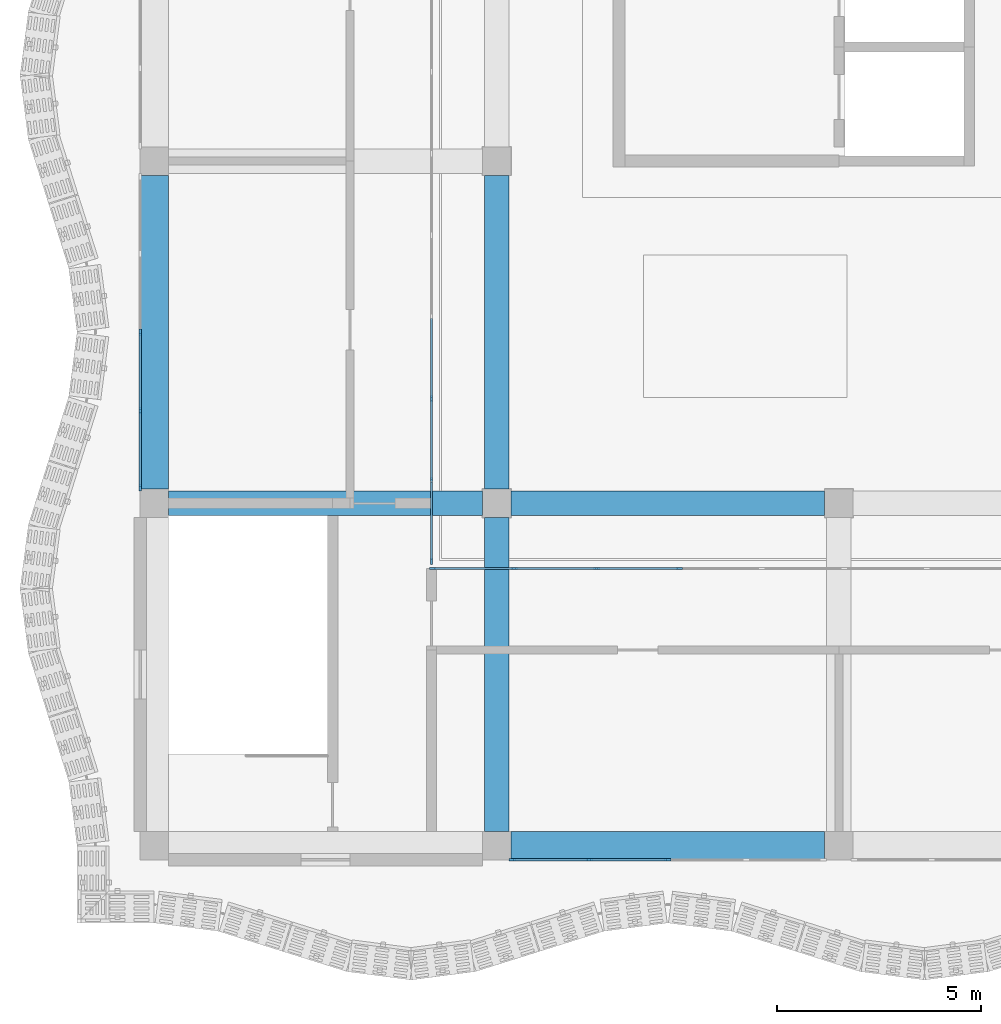
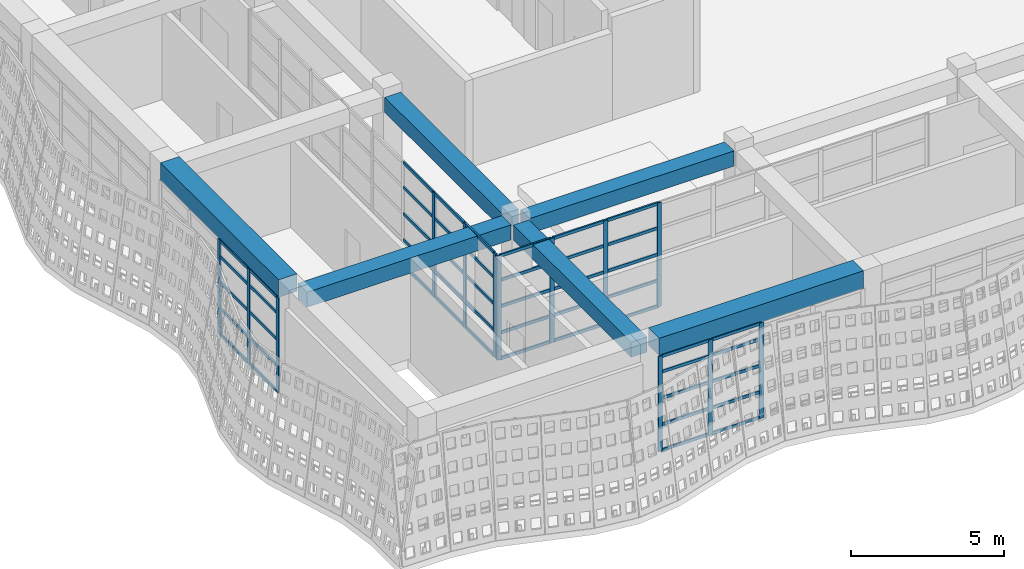
# One storey, part 2 of 85: 63 members, 6 beams, 4 elements without a shape of their own.
"""IFC4 building model written with IfcOpenShell, lengths in metres."""

from ifc_helpers import new_model, si_unit, direction, frame, origin, origin_2d, place, context, subcontext, project, spatial, rectangle, extrude, material, material_profile, profile_set, type_object, element, aggregate, save


model = new_model("IFC4")

# Units and contexts
model_context = context("Model", 3, precision=1e-05, world=origin(), true_north=direction((0.0, 1.0)))
body_context = subcontext(model_context, "Body", "Model", "MODEL_VIEW")
ifc_project = project(units=[si_unit("LENGTHUNIT", "METRE"), si_unit("AREAUNIT", "SQUARE_METRE"), si_unit("VOLUMEUNIT", "CUBIC_METRE"), si_unit("PLANEANGLEUNIT", "RADIAN"), si_unit("MASSUNIT", "GRAM", prefix="KILO")], contexts=[model_context])

# Site, building, storey
site_placement = place(None, origin())
site = spatial("IfcSite", under=ifc_project, at=site_placement, CompositionType="ELEMENT")
building_placement = place(site_placement, origin())
building = spatial("IfcBuilding", under=site, at=building_placement, Name="Rain Tree Exposition and Congress Centre", CompositionType="ELEMENT")
storey_placement = place(building_placement, frame((0.0, 0.0, 15.0)))
storey = spatial("IfcBuildingStorey", under=building, at=storey_placement, Name="L03", CompositionType="ELEMENT", Elevation=15.0)

# Beams
ifc_material_1 = material(Name="Precast concrete C50/60", Category="concrete")
ifc_material_profile_1 = material_profile(ifc_material_1, rectangle(XDim=0.60009765625, YDim=0.60009765625, at=origin_2d()), Name="RC 600x600")
ifc_profile_set_1 = profile_set([ifc_material_profile_1], Name="Precast concrete C50/60")
beam_type_1 = type_object("IfcBeamType", Name="Precast beam 600x600", PredefinedType="BEAM", material=ifc_profile_set_1)
for number, where, z_axis, x_axis, name in (
    (1, (0.35009765625, 8.39990234375, 3.85009765625), (1.0, 0.0, 0.0), (0.0, 1.0, 0.0), "wing/beam/L03/RF/013"),
    (2, (8.39990234375, 0.35009765625, 3.85009765625), (0.0, 1.0, 0.0), (-1.0, 0.0, 0.0), "wing/beam/L03/RF/014"),
    (3, (8.75, 8.39990234375, 3.85009765625), (1.0, 0.0, 0.0), (0.0, 1.0, 0.0), "wing/beam/L03/RF/015"),
    (4, (8.39990234375, 8.75, 3.85009765625), (0.0, 1.0, 0.0), (-1.0, 0.0, 0.0), "wing/beam/L03/RF/016"),
):
    element("IfcBeam", number, at=place(storey_placement, frame(where, z_axis=z_axis, x_axis=x_axis)), inside=storey, type_object=beam_type_1, Name=name, PredefinedType="BEAM", context=body_context, shape_type="SweptSolid", body=[
        extrude(rectangle(XDim=0.60009765625, YDim=0.60009765625, at=origin_2d()), origin(), (0.0, 0.0, 1.0), 7.699951171875),
    ])
ifc_material_2 = material(Name="Precast concrete C50/60", Category="concrete")
ifc_material_profile_2 = material_profile(ifc_material_2, rectangle(XDim=0.699951171875, YDim=0.699951171875, at=origin_2d()), Name="RC 700x700")
ifc_profile_set_2 = profile_set([ifc_material_profile_2], Name="Precast concrete C50/60")
beam_type_2 = type_object("IfcBeamType", Name="Precast spandrel beam 700x700", PredefinedType="SPANDREL", material=ifc_profile_set_2)
for number, where, z_axis, x_axis, name in (
    (5, (8.75, 0.0, 4.14990234375), (1.0, 0.0, 0.0), (0.0, 1.0, 0.0), "wing/beam/L03/RF/003"),
    (6, (0.0, 8.75, 4.14990234375), (0.0, 1.0, 0.0), (-1.0, 0.0, 0.0), "wing/beam/L03/RF/004"),
):
    element("IfcBeam", number, at=place(storey_placement, frame(where, z_axis=z_axis, x_axis=x_axis)), inside=storey, type_object=beam_type_2, Name=name, PredefinedType="SPANDREL", context=body_context, shape_type="SweptSolid", body=[
        extrude(rectangle(XDim=0.699951171875, YDim=0.699951171875, at=origin_2d()), origin(), (0.0, 0.0, 1.0), 7.699951171875),
    ])

# Curtain wall, members
ifc_material_3 = material(Name="Aluminium curtain wall", Category="aluminium")
curtain_wall_type = type_object("IfcCurtainWallType", Name="Wing curtain wall 1925", PredefinedType="NOTDEFINED", material=ifc_material_3)
curtain_wall_1_placement = place(storey_placement, origin())
curtain_wall_1 = element("IfcCurtainWall", 7, at=curtain_wall_1_placement, inside=storey, type_object=curtain_wall_type, Name="Curtain wall CWW401", PredefinedType="NOTDEFINED")
ifc_material_4 = material(Name="Aluminium", Category="aluminium")
ifc_material_profile_3 = material_profile(ifc_material_4, rectangle(XDim=0.06005859375, YDim=0.159912109375, at=origin_2d()), Name="Aluminium 60x160")
ifc_profile_set_3 = profile_set([ifc_material_profile_3], Name="Aluminium")
member_type_1 = type_object("IfcMemberType", Name="Wing mullion 60x160", PredefinedType="MULLION", material=ifc_profile_set_3)
member_1_placement = place(storey_placement, frame((8.780029296875, -0.35009765625, 0.0), z_axis=(0.0, 0.0, 1.0), x_axis=(0.0, 1.0, 0.0)))
member_1 = element("IfcMember", 8, at=member_1_placement, type_object=member_type_1, Name="CWW401 mullion 1", PredefinedType="MULLION", context=body_context, shape_type="SweptSolid", body=[
    extrude(rectangle(XDim=0.06005859375, YDim=0.159912109375, at=origin_2d()), origin(), (0.0, 0.0, 1.0), 3.800048828125),
])
member_2_placement = place(storey_placement, frame((10.675048828125, -0.35009765625, 0.0), z_axis=(0.0, 0.0, 1.0), x_axis=(0.0, 1.0, 0.0)))
member_2 = element("IfcMember", 9, at=member_2_placement, type_object=member_type_1, Name="CWW401 mullion 2", PredefinedType="MULLION", context=body_context, shape_type="SweptSolid", body=[
    extrude(rectangle(XDim=0.06005859375, YDim=0.159912109375, at=origin_2d()), origin(), (0.0, 0.0, 1.0), 3.800048828125),
])
member_3_placement = place(storey_placement, frame((12.60009765625, -0.35009765625, 0.0), z_axis=(0.0, 0.0, 1.0), x_axis=(0.0, 1.0, 0.0)))
member_3 = element("IfcMember", 10, at=member_3_placement, type_object=member_type_1, Name="CWW401 mullion 3", PredefinedType="MULLION", context=body_context, shape_type="SweptSolid", body=[
    extrude(rectangle(XDim=0.06005859375, YDim=0.159912109375, at=origin_2d()), origin(), (0.0, 0.0, 1.0), 3.800048828125),
])

curtain_wall_2_placement = place(storey_placement, origin())
curtain_wall_2 = element("IfcCurtainWall", 11, at=curtain_wall_2_placement, inside=storey, type_object=curtain_wall_type, Name="Curtain wall CWW408", PredefinedType="NOTDEFINED")
member_4_placement = place(storey_placement, frame((-0.35009765625, 8.780029296875, 0.0), z_axis=(0.0, 0.0, 1.0), x_axis=(-1.0, 0.0, 0.0)))
member_4 = element("IfcMember", 12, at=member_4_placement, type_object=member_type_1, Name="CWW408 mullion 1", PredefinedType="MULLION", context=body_context, shape_type="SweptSolid", body=[
    extrude(rectangle(XDim=0.06005859375, YDim=0.159912109375, at=origin_2d()), origin(), (0.0, 0.0, 1.0), 3.800048828125),
])
member_5_placement = place(storey_placement, frame((-0.35009765625, 10.675048828125, 0.0), z_axis=(0.0, 0.0, 1.0), x_axis=(-1.0, 0.0, 0.0)))
member_5 = element("IfcMember", 13, at=member_5_placement, type_object=member_type_1, Name="CWW408 mullion 2", PredefinedType="MULLION", context=body_context, shape_type="SweptSolid", body=[
    extrude(rectangle(XDim=0.06005859375, YDim=0.159912109375, at=origin_2d()), origin(), (0.0, 0.0, 1.0), 3.800048828125),
])
member_6_placement = place(storey_placement, frame((-0.35009765625, 12.60009765625, 0.0), z_axis=(0.0, 0.0, 1.0), x_axis=(-1.0, 0.0, 0.0)))
member_6 = element("IfcMember", 14, at=member_6_placement, type_object=member_type_1, Name="CWW408 mullion 3", PredefinedType="MULLION", context=body_context, shape_type="SweptSolid", body=[
    extrude(rectangle(XDim=0.06005859375, YDim=0.159912109375, at=origin_2d()), origin(), (0.0, 0.0, 1.0), 3.800048828125),
])

curtain_wall_3_placement = place(storey_placement, origin())
curtain_wall_3 = element("IfcCurtainWall", 15, at=curtain_wall_3_placement, inside=storey, type_object=curtain_wall_type, Name="Curtain wall CWW501", PredefinedType="NOTDEFINED")
member_7_placement = place(storey_placement, frame((6.830078125, 6.800048828125, 0.0), z_axis=(0.0, 0.0, 1.0), x_axis=(0.0, 1.0, 0.0)))
member_7 = element("IfcMember", 16, at=member_7_placement, type_object=member_type_1, Name="CWW501 mullion 1", PredefinedType="MULLION", context=body_context, shape_type="SweptSolid", body=[
    extrude(rectangle(XDim=0.06005859375, YDim=0.159912109375, at=origin_2d()), origin(), (0.0, 0.0, 1.0), 4.14990234375),
])
member_8_placement = place(storey_placement, frame((8.824951171875, 6.800048828125, 0.0), z_axis=(0.0, 0.0, 1.0), x_axis=(0.0, 1.0, 0.0)))
member_8 = element("IfcMember", 17, at=member_8_placement, type_object=member_type_1, Name="CWW501 mullion 2", PredefinedType="MULLION", context=body_context, shape_type="SweptSolid", body=[
    extrude(rectangle(XDim=0.06005859375, YDim=0.159912109375, at=origin_2d()), origin(), (0.0, 0.0, 1.0), 4.14990234375),
])
member_9_placement = place(storey_placement, frame((10.85009765625, 6.800048828125, 0.0), z_axis=(0.0, 0.0, 1.0), x_axis=(0.0, 1.0, 0.0)))
member_9 = element("IfcMember", 18, at=member_9_placement, type_object=member_type_1, Name="CWW501 mullion 3", PredefinedType="MULLION", context=body_context, shape_type="SweptSolid", body=[
    extrude(rectangle(XDim=0.06005859375, YDim=0.159912109375, at=origin_2d()), origin(), (0.0, 0.0, 1.0), 4.14990234375),
])
member_10_placement = place(storey_placement, frame((12.875, 6.800048828125, 0.0), z_axis=(0.0, 0.0, 1.0), x_axis=(0.0, 1.0, 0.0)))
member_10 = element("IfcMember", 19, at=member_10_placement, type_object=member_type_1, Name="CWW501 mullion 4", PredefinedType="MULLION", context=body_context, shape_type="SweptSolid", body=[
    extrude(rectangle(XDim=0.06005859375, YDim=0.159912109375, at=origin_2d()), origin(), (0.0, 0.0, 1.0), 4.14990234375),
])

curtain_wall_4_placement = place(storey_placement, origin())
curtain_wall_4 = element("IfcCurtainWall", 20, at=curtain_wall_4_placement, inside=storey, type_object=curtain_wall_type, Name="Curtain wall CWW505", PredefinedType="NOTDEFINED")
member_11_placement = place(storey_placement, frame((6.800048828125, 6.97998046875, 0.0), z_axis=(0.0, 0.0, 1.0), x_axis=(-1.0, 0.0, 0.0)))
member_11 = element("IfcMember", 21, at=member_11_placement, type_object=member_type_1, Name="CWW505 mullion 1", PredefinedType="MULLION", context=body_context, shape_type="SweptSolid", body=[
    extrude(rectangle(XDim=0.06005859375, YDim=0.159912109375, at=origin_2d()), origin(), (0.0, 0.0, 1.0), 4.14990234375),
])
member_12_placement = place(storey_placement, frame((6.800048828125, 8.956298828125, 0.0), z_axis=(0.0, 0.0, 1.0), x_axis=(-1.0, 0.0, 0.0)))
member_12 = element("IfcMember", 22, at=member_12_placement, type_object=member_type_1, Name="CWW505 mullion 2", PredefinedType="MULLION", context=body_context, shape_type="SweptSolid", body=[
    extrude(rectangle(XDim=0.06005859375, YDim=0.159912109375, at=origin_2d()), origin(), (0.0, 0.0, 1.0), 4.14990234375),
])
member_13_placement = place(storey_placement, frame((6.800048828125, 10.96240234375, 0.0), z_axis=(0.0, 0.0, 1.0), x_axis=(-1.0, 0.0, 0.0)))
member_13 = element("IfcMember", 23, at=member_13_placement, type_object=member_type_1, Name="CWW505 mullion 3", PredefinedType="MULLION", context=body_context, shape_type="SweptSolid", body=[
    extrude(rectangle(XDim=0.06005859375, YDim=0.159912109375, at=origin_2d()), origin(), (0.0, 0.0, 1.0), 4.14990234375),
])

# Member
ifc_material_5 = material(Name="Aluminium", Category="aluminium")
ifc_material_profile_4 = material_profile(ifc_material_5, rectangle(XDim=0.06005859375, YDim=0.1201171875, at=origin_2d()), Name="Aluminium 60x120")
ifc_profile_set_4 = profile_set([ifc_material_profile_4], Name="Aluminium")
member_type_2 = type_object("IfcMemberType", Name="Wing transom 60x120", PredefinedType="USERDEFINED", material=ifc_profile_set_4)
member_14_placement = place(storey_placement, frame((8.81005859375, -0.35009765625, 0.030029296875), z_axis=(1.0, 0.0, 0.0), x_axis=(0.0, 1.0, 0.0)))
member_14 = element("IfcMember", 24, at=member_14_placement, type_object=member_type_2, Name="CWW401 transom 1.1", ObjectType="TRANSOM", PredefinedType="USERDEFINED", context=body_context, shape_type="SweptSolid", body=[
    extrude(rectangle(XDim=0.06005859375, YDim=0.1201171875, at=origin_2d()), origin(), (0.0, 0.0, 1.0), 1.8349609375),
])

member_15_placement = place(storey_placement, frame((8.81005859375, -0.35009765625, 1.050048828125), z_axis=(1.0, 0.0, 0.0), x_axis=(0.0, 1.0, 0.0)))
member_15 = element("IfcMember", 25, at=member_15_placement, type_object=member_type_2, Name="CWW401 transom 1.2", ObjectType="TRANSOM", PredefinedType="USERDEFINED", context=body_context, shape_type="SweptSolid", body=[
    extrude(rectangle(XDim=0.06005859375, YDim=0.1201171875, at=origin_2d()), origin(), (0.0, 0.0, 1.0), 1.8349609375),
])

member_16_placement = place(storey_placement, frame((8.81005859375, -0.35009765625, 2.10009765625), z_axis=(1.0, 0.0, 0.0), x_axis=(0.0, 1.0, 0.0)))
member_16 = element("IfcMember", 26, at=member_16_placement, type_object=member_type_2, Name="CWW401 transom 1.3", ObjectType="TRANSOM", PredefinedType="USERDEFINED", context=body_context, shape_type="SweptSolid", body=[
    extrude(rectangle(XDim=0.06005859375, YDim=0.1201171875, at=origin_2d()), origin(), (0.0, 0.0, 1.0), 1.8349609375),
])

member_17_placement = place(storey_placement, frame((8.81005859375, -0.35009765625, 3.14990234375), z_axis=(1.0, 0.0, 0.0), x_axis=(0.0, 1.0, 0.0)))
member_17 = element("IfcMember", 27, at=member_17_placement, type_object=member_type_2, Name="CWW401 transom 1.4", ObjectType="TRANSOM", PredefinedType="USERDEFINED", context=body_context, shape_type="SweptSolid", body=[
    extrude(rectangle(XDim=0.06005859375, YDim=0.1201171875, at=origin_2d()), origin(), (0.0, 0.0, 1.0), 1.8349609375),
])

member_18_placement = place(storey_placement, frame((8.81005859375, -0.35009765625, 3.77001953125), z_axis=(1.0, 0.0, 0.0), x_axis=(0.0, 1.0, 0.0)))
member_18 = element("IfcMember", 28, at=member_18_placement, type_object=member_type_2, Name="CWW401 transom 1.5", ObjectType="TRANSOM", PredefinedType="USERDEFINED", context=body_context, shape_type="SweptSolid", body=[
    extrude(rectangle(XDim=0.06005859375, YDim=0.1201171875, at=origin_2d()), origin(), (0.0, 0.0, 1.0), 1.8349609375),
])

member_19_placement = place(storey_placement, frame((10.705078125, -0.35009765625, 0.030029296875), z_axis=(1.0, 0.0, 0.0), x_axis=(0.0, 1.0, 0.0)))
member_19 = element("IfcMember", 29, at=member_19_placement, type_object=member_type_2, Name="CWW401 transom 2.1", ObjectType="TRANSOM", PredefinedType="USERDEFINED", context=body_context, shape_type="SweptSolid", body=[
    extrude(rectangle(XDim=0.06005859375, YDim=0.1201171875, at=origin_2d()), origin(), (0.0, 0.0, 1.0), 1.864990234375),
])

member_20_placement = place(storey_placement, frame((10.705078125, -0.35009765625, 1.050048828125), z_axis=(1.0, 0.0, 0.0), x_axis=(0.0, 1.0, 0.0)))
member_20 = element("IfcMember", 30, at=member_20_placement, type_object=member_type_2, Name="CWW401 transom 2.2", ObjectType="TRANSOM", PredefinedType="USERDEFINED", context=body_context, shape_type="SweptSolid", body=[
    extrude(rectangle(XDim=0.06005859375, YDim=0.1201171875, at=origin_2d()), origin(), (0.0, 0.0, 1.0), 1.864990234375),
])

member_21_placement = place(storey_placement, frame((10.705078125, -0.35009765625, 2.10009765625), z_axis=(1.0, 0.0, 0.0), x_axis=(0.0, 1.0, 0.0)))
member_21 = element("IfcMember", 31, at=member_21_placement, type_object=member_type_2, Name="CWW401 transom 2.3", ObjectType="TRANSOM", PredefinedType="USERDEFINED", context=body_context, shape_type="SweptSolid", body=[
    extrude(rectangle(XDim=0.06005859375, YDim=0.1201171875, at=origin_2d()), origin(), (0.0, 0.0, 1.0), 1.864990234375),
])

member_22_placement = place(storey_placement, frame((10.705078125, -0.35009765625, 3.14990234375), z_axis=(1.0, 0.0, 0.0), x_axis=(0.0, 1.0, 0.0)))
member_22 = element("IfcMember", 32, at=member_22_placement, type_object=member_type_2, Name="CWW401 transom 2.4", ObjectType="TRANSOM", PredefinedType="USERDEFINED", context=body_context, shape_type="SweptSolid", body=[
    extrude(rectangle(XDim=0.06005859375, YDim=0.1201171875, at=origin_2d()), origin(), (0.0, 0.0, 1.0), 1.864990234375),
])

member_23_placement = place(storey_placement, frame((10.705078125, -0.35009765625, 3.77001953125), z_axis=(1.0, 0.0, 0.0), x_axis=(0.0, 1.0, 0.0)))
member_23 = element("IfcMember", 33, at=member_23_placement, type_object=member_type_2, Name="CWW401 transom 2.5", ObjectType="TRANSOM", PredefinedType="USERDEFINED", context=body_context, shape_type="SweptSolid", body=[
    extrude(rectangle(XDim=0.06005859375, YDim=0.1201171875, at=origin_2d()), origin(), (0.0, 0.0, 1.0), 1.864990234375),
])

aggregate(curtain_wall_1, [member_1, member_2, member_3, member_14, member_15, member_16, member_17, member_18, member_19, member_20, member_21, member_22, member_23])

member_24_placement = place(storey_placement, frame((-0.35009765625, 8.81005859375, 0.030029296875), z_axis=(0.0, 1.0, 0.0), x_axis=(-1.0, 0.0, 0.0)))
member_24 = element("IfcMember", 34, at=member_24_placement, type_object=member_type_2, Name="CWW408 transom 1.1", ObjectType="TRANSOM", PredefinedType="USERDEFINED", context=body_context, shape_type="SweptSolid", body=[
    extrude(rectangle(XDim=0.06005859375, YDim=0.1201171875, at=origin_2d()), origin(), (0.0, 0.0, 1.0), 1.8349609375),
])

member_25_placement = place(storey_placement, frame((-0.35009765625, 8.81005859375, 1.050048828125), z_axis=(0.0, 1.0, 0.0), x_axis=(-1.0, 0.0, 0.0)))
member_25 = element("IfcMember", 35, at=member_25_placement, type_object=member_type_2, Name="CWW408 transom 1.2", ObjectType="TRANSOM", PredefinedType="USERDEFINED", context=body_context, shape_type="SweptSolid", body=[
    extrude(rectangle(XDim=0.06005859375, YDim=0.1201171875, at=origin_2d()), origin(), (0.0, 0.0, 1.0), 1.8349609375),
])

member_26_placement = place(storey_placement, frame((-0.35009765625, 8.81005859375, 2.10009765625), z_axis=(0.0, 1.0, 0.0), x_axis=(-1.0, 0.0, 0.0)))
member_26 = element("IfcMember", 36, at=member_26_placement, type_object=member_type_2, Name="CWW408 transom 1.3", ObjectType="TRANSOM", PredefinedType="USERDEFINED", context=body_context, shape_type="SweptSolid", body=[
    extrude(rectangle(XDim=0.06005859375, YDim=0.1201171875, at=origin_2d()), origin(), (0.0, 0.0, 1.0), 1.8349609375),
])

member_27_placement = place(storey_placement, frame((-0.35009765625, 8.81005859375, 3.14990234375), z_axis=(0.0, 1.0, 0.0), x_axis=(-1.0, 0.0, 0.0)))
member_27 = element("IfcMember", 37, at=member_27_placement, type_object=member_type_2, Name="CWW408 transom 1.4", ObjectType="TRANSOM", PredefinedType="USERDEFINED", context=body_context, shape_type="SweptSolid", body=[
    extrude(rectangle(XDim=0.06005859375, YDim=0.1201171875, at=origin_2d()), origin(), (0.0, 0.0, 1.0), 1.8349609375),
])

member_28_placement = place(storey_placement, frame((-0.35009765625, 8.81005859375, 3.77001953125), z_axis=(0.0, 1.0, 0.0), x_axis=(-1.0, 0.0, 0.0)))
member_28 = element("IfcMember", 38, at=member_28_placement, type_object=member_type_2, Name="CWW408 transom 1.5", ObjectType="TRANSOM", PredefinedType="USERDEFINED", context=body_context, shape_type="SweptSolid", body=[
    extrude(rectangle(XDim=0.06005859375, YDim=0.1201171875, at=origin_2d()), origin(), (0.0, 0.0, 1.0), 1.8349609375),
])

member_29_placement = place(storey_placement, frame((-0.35009765625, 10.705078125, 0.030029296875), z_axis=(0.0, 1.0, 0.0), x_axis=(-1.0, 0.0, 0.0)))
member_29 = element("IfcMember", 39, at=member_29_placement, type_object=member_type_2, Name="CWW408 transom 2.1", ObjectType="TRANSOM", PredefinedType="USERDEFINED", context=body_context, shape_type="SweptSolid", body=[
    extrude(rectangle(XDim=0.06005859375, YDim=0.1201171875, at=origin_2d()), origin(), (0.0, 0.0, 1.0), 1.864990234375),
])

member_30_placement = place(storey_placement, frame((-0.35009765625, 10.705078125, 1.050048828125), z_axis=(0.0, 1.0, 0.0), x_axis=(-1.0, 0.0, 0.0)))
member_30 = element("IfcMember", 40, at=member_30_placement, type_object=member_type_2, Name="CWW408 transom 2.2", ObjectType="TRANSOM", PredefinedType="USERDEFINED", context=body_context, shape_type="SweptSolid", body=[
    extrude(rectangle(XDim=0.06005859375, YDim=0.1201171875, at=origin_2d()), origin(), (0.0, 0.0, 1.0), 1.864990234375),
])

member_31_placement = place(storey_placement, frame((-0.35009765625, 10.705078125, 2.10009765625), z_axis=(0.0, 1.0, 0.0), x_axis=(-1.0, 0.0, 0.0)))
member_31 = element("IfcMember", 41, at=member_31_placement, type_object=member_type_2, Name="CWW408 transom 2.3", ObjectType="TRANSOM", PredefinedType="USERDEFINED", context=body_context, shape_type="SweptSolid", body=[
    extrude(rectangle(XDim=0.06005859375, YDim=0.1201171875, at=origin_2d()), origin(), (0.0, 0.0, 1.0), 1.864990234375),
])

member_32_placement = place(storey_placement, frame((-0.35009765625, 10.705078125, 3.14990234375), z_axis=(0.0, 1.0, 0.0), x_axis=(-1.0, 0.0, 0.0)))
member_32 = element("IfcMember", 42, at=member_32_placement, type_object=member_type_2, Name="CWW408 transom 2.4", ObjectType="TRANSOM", PredefinedType="USERDEFINED", context=body_context, shape_type="SweptSolid", body=[
    extrude(rectangle(XDim=0.06005859375, YDim=0.1201171875, at=origin_2d()), origin(), (0.0, 0.0, 1.0), 1.864990234375),
])

member_33_placement = place(storey_placement, frame((-0.35009765625, 10.705078125, 3.77001953125), z_axis=(0.0, 1.0, 0.0), x_axis=(-1.0, 0.0, 0.0)))
member_33 = element("IfcMember", 43, at=member_33_placement, type_object=member_type_2, Name="CWW408 transom 2.5", ObjectType="TRANSOM", PredefinedType="USERDEFINED", context=body_context, shape_type="SweptSolid", body=[
    extrude(rectangle(XDim=0.06005859375, YDim=0.1201171875, at=origin_2d()), origin(), (0.0, 0.0, 1.0), 1.864990234375),
])

aggregate(curtain_wall_2, [member_4, member_5, member_6, member_24, member_25, member_26, member_27, member_28, member_29, member_30, member_31, member_32, member_33])

member_34_placement = place(storey_placement, frame((6.860107421875, 6.800048828125, 0.030029296875), z_axis=(1.0, 0.0, 0.0), x_axis=(0.0, 1.0, 0.0)))
member_34 = element("IfcMember", 44, at=member_34_placement, type_object=member_type_2, Name="CWW501 transom 1.1", ObjectType="TRANSOM", PredefinedType="USERDEFINED", context=body_context, shape_type="SweptSolid", body=[
    extrude(rectangle(XDim=0.06005859375, YDim=0.1201171875, at=origin_2d()), origin(), (0.0, 0.0, 1.0), 1.934814453125),
])

member_35_placement = place(storey_placement, frame((6.860107421875, 6.800048828125, 1.050048828125), z_axis=(1.0, 0.0, 0.0), x_axis=(0.0, 1.0, 0.0)))
member_35 = element("IfcMember", 45, at=member_35_placement, type_object=member_type_2, Name="CWW501 transom 1.2", ObjectType="TRANSOM", PredefinedType="USERDEFINED", context=body_context, shape_type="SweptSolid", body=[
    extrude(rectangle(XDim=0.06005859375, YDim=0.1201171875, at=origin_2d()), origin(), (0.0, 0.0, 1.0), 1.934814453125),
])

member_36_placement = place(storey_placement, frame((6.860107421875, 6.800048828125, 2.10009765625), z_axis=(1.0, 0.0, 0.0), x_axis=(0.0, 1.0, 0.0)))
member_36 = element("IfcMember", 46, at=member_36_placement, type_object=member_type_2, Name="CWW501 transom 1.3", ObjectType="TRANSOM", PredefinedType="USERDEFINED", context=body_context, shape_type="SweptSolid", body=[
    extrude(rectangle(XDim=0.06005859375, YDim=0.1201171875, at=origin_2d()), origin(), (0.0, 0.0, 1.0), 1.934814453125),
])

member_37_placement = place(storey_placement, frame((6.860107421875, 6.800048828125, 3.14990234375), z_axis=(1.0, 0.0, 0.0), x_axis=(0.0, 1.0, 0.0)))
member_37 = element("IfcMember", 47, at=member_37_placement, type_object=member_type_2, Name="CWW501 transom 1.4", ObjectType="TRANSOM", PredefinedType="USERDEFINED", context=body_context, shape_type="SweptSolid", body=[
    extrude(rectangle(XDim=0.06005859375, YDim=0.1201171875, at=origin_2d()), origin(), (0.0, 0.0, 1.0), 1.934814453125),
])

member_38_placement = place(storey_placement, frame((6.860107421875, 6.800048828125, 4.1201171875), z_axis=(1.0, 0.0, 0.0), x_axis=(0.0, 1.0, 0.0)))
member_38 = element("IfcMember", 48, at=member_38_placement, type_object=member_type_2, Name="CWW501 transom 1.5", ObjectType="TRANSOM", PredefinedType="USERDEFINED", context=body_context, shape_type="SweptSolid", body=[
    extrude(rectangle(XDim=0.06005859375, YDim=0.1201171875, at=origin_2d()), origin(), (0.0, 0.0, 1.0), 1.934814453125),
])

member_39_placement = place(storey_placement, frame((8.85498046875, 6.800048828125, 0.030029296875), z_axis=(1.0, 0.0, 0.0), x_axis=(0.0, 1.0, 0.0)))
member_39 = element("IfcMember", 49, at=member_39_placement, type_object=member_type_2, Name="CWW501 transom 2.1", ObjectType="TRANSOM", PredefinedType="USERDEFINED", context=body_context, shape_type="SweptSolid", body=[
    extrude(rectangle(XDim=0.06005859375, YDim=0.1201171875, at=origin_2d()), origin(), (0.0, 0.0, 1.0), 1.965087890625),
])

member_40_placement = place(storey_placement, frame((8.85498046875, 6.800048828125, 1.050048828125), z_axis=(1.0, 0.0, 0.0), x_axis=(0.0, 1.0, 0.0)))
member_40 = element("IfcMember", 50, at=member_40_placement, type_object=member_type_2, Name="CWW501 transom 2.2", ObjectType="TRANSOM", PredefinedType="USERDEFINED", context=body_context, shape_type="SweptSolid", body=[
    extrude(rectangle(XDim=0.06005859375, YDim=0.1201171875, at=origin_2d()), origin(), (0.0, 0.0, 1.0), 1.965087890625),
])

member_41_placement = place(storey_placement, frame((8.85498046875, 6.800048828125, 2.10009765625), z_axis=(1.0, 0.0, 0.0), x_axis=(0.0, 1.0, 0.0)))
member_41 = element("IfcMember", 51, at=member_41_placement, type_object=member_type_2, Name="CWW501 transom 2.3", ObjectType="TRANSOM", PredefinedType="USERDEFINED", context=body_context, shape_type="SweptSolid", body=[
    extrude(rectangle(XDim=0.06005859375, YDim=0.1201171875, at=origin_2d()), origin(), (0.0, 0.0, 1.0), 1.965087890625),
])

member_42_placement = place(storey_placement, frame((8.85498046875, 6.800048828125, 3.14990234375), z_axis=(1.0, 0.0, 0.0), x_axis=(0.0, 1.0, 0.0)))
member_42 = element("IfcMember", 52, at=member_42_placement, type_object=member_type_2, Name="CWW501 transom 2.4", ObjectType="TRANSOM", PredefinedType="USERDEFINED", context=body_context, shape_type="SweptSolid", body=[
    extrude(rectangle(XDim=0.06005859375, YDim=0.1201171875, at=origin_2d()), origin(), (0.0, 0.0, 1.0), 1.965087890625),
])

member_43_placement = place(storey_placement, frame((8.85498046875, 6.800048828125, 4.1201171875), z_axis=(1.0, 0.0, 0.0), x_axis=(0.0, 1.0, 0.0)))
member_43 = element("IfcMember", 53, at=member_43_placement, type_object=member_type_2, Name="CWW501 transom 2.5", ObjectType="TRANSOM", PredefinedType="USERDEFINED", context=body_context, shape_type="SweptSolid", body=[
    extrude(rectangle(XDim=0.06005859375, YDim=0.1201171875, at=origin_2d()), origin(), (0.0, 0.0, 1.0), 1.965087890625),
])

member_44_placement = place(storey_placement, frame((10.8798828125, 6.800048828125, 0.030029296875), z_axis=(1.0, 0.0, 0.0), x_axis=(0.0, 1.0, 0.0)))
member_44 = element("IfcMember", 54, at=member_44_placement, type_object=member_type_2, Name="CWW501 transom 3.1", ObjectType="TRANSOM", PredefinedType="USERDEFINED", context=body_context, shape_type="SweptSolid", body=[
    extrude(rectangle(XDim=0.06005859375, YDim=0.1201171875, at=origin_2d()), origin(), (0.0, 0.0, 1.0), 1.965087890625),
])

member_45_placement = place(storey_placement, frame((10.8798828125, 6.800048828125, 1.050048828125), z_axis=(1.0, 0.0, 0.0), x_axis=(0.0, 1.0, 0.0)))
member_45 = element("IfcMember", 55, at=member_45_placement, type_object=member_type_2, Name="CWW501 transom 3.2", ObjectType="TRANSOM", PredefinedType="USERDEFINED", context=body_context, shape_type="SweptSolid", body=[
    extrude(rectangle(XDim=0.06005859375, YDim=0.1201171875, at=origin_2d()), origin(), (0.0, 0.0, 1.0), 1.965087890625),
])

member_46_placement = place(storey_placement, frame((10.8798828125, 6.800048828125, 2.10009765625), z_axis=(1.0, 0.0, 0.0), x_axis=(0.0, 1.0, 0.0)))
member_46 = element("IfcMember", 56, at=member_46_placement, type_object=member_type_2, Name="CWW501 transom 3.3", ObjectType="TRANSOM", PredefinedType="USERDEFINED", context=body_context, shape_type="SweptSolid", body=[
    extrude(rectangle(XDim=0.06005859375, YDim=0.1201171875, at=origin_2d()), origin(), (0.0, 0.0, 1.0), 1.965087890625),
])

member_47_placement = place(storey_placement, frame((10.8798828125, 6.800048828125, 3.14990234375), z_axis=(1.0, 0.0, 0.0), x_axis=(0.0, 1.0, 0.0)))
member_47 = element("IfcMember", 57, at=member_47_placement, type_object=member_type_2, Name="CWW501 transom 3.4", ObjectType="TRANSOM", PredefinedType="USERDEFINED", context=body_context, shape_type="SweptSolid", body=[
    extrude(rectangle(XDim=0.06005859375, YDim=0.1201171875, at=origin_2d()), origin(), (0.0, 0.0, 1.0), 1.965087890625),
])

member_48_placement = place(storey_placement, frame((10.8798828125, 6.800048828125, 4.1201171875), z_axis=(1.0, 0.0, 0.0), x_axis=(0.0, 1.0, 0.0)))
member_48 = element("IfcMember", 58, at=member_48_placement, type_object=member_type_2, Name="CWW501 transom 3.5", ObjectType="TRANSOM", PredefinedType="USERDEFINED", context=body_context, shape_type="SweptSolid", body=[
    extrude(rectangle(XDim=0.06005859375, YDim=0.1201171875, at=origin_2d()), origin(), (0.0, 0.0, 1.0), 1.965087890625),
])

aggregate(curtain_wall_3, [member_7, member_8, member_9, member_10, member_34, member_35, member_36, member_37, member_38, member_39, member_40, member_41, member_42, member_43, member_44, member_45, member_46, member_47, member_48])

member_49_placement = place(storey_placement, frame((6.800048828125, 7.010009765625, 0.030029296875), z_axis=(0.0, 1.0, 0.0), x_axis=(-1.0, 0.0, 0.0)))
member_49 = element("IfcMember", 59, at=member_49_placement, type_object=member_type_2, Name="CWW505 transom 1.1", ObjectType="TRANSOM", PredefinedType="USERDEFINED", context=body_context, shape_type="SweptSolid", body=[
    extrude(rectangle(XDim=0.06005859375, YDim=0.1201171875, at=origin_2d()), origin(), (0.0, 0.0, 1.0), 1.916259765625),
])

member_50_placement = place(storey_placement, frame((6.800048828125, 7.010009765625, 1.050048828125), z_axis=(0.0, 1.0, 0.0), x_axis=(-1.0, 0.0, 0.0)))
member_50 = element("IfcMember", 60, at=member_50_placement, type_object=member_type_2, Name="CWW505 transom 1.2", ObjectType="TRANSOM", PredefinedType="USERDEFINED", context=body_context, shape_type="SweptSolid", body=[
    extrude(rectangle(XDim=0.06005859375, YDim=0.1201171875, at=origin_2d()), origin(), (0.0, 0.0, 1.0), 1.916259765625),
])

member_51_placement = place(storey_placement, frame((6.800048828125, 7.010009765625, 2.10009765625), z_axis=(0.0, 1.0, 0.0), x_axis=(-1.0, 0.0, 0.0)))
member_51 = element("IfcMember", 61, at=member_51_placement, type_object=member_type_2, Name="CWW505 transom 1.3", ObjectType="TRANSOM", PredefinedType="USERDEFINED", context=body_context, shape_type="SweptSolid", body=[
    extrude(rectangle(XDim=0.06005859375, YDim=0.1201171875, at=origin_2d()), origin(), (0.0, 0.0, 1.0), 1.916259765625),
])

member_52_placement = place(storey_placement, frame((6.800048828125, 7.010009765625, 3.14990234375), z_axis=(0.0, 1.0, 0.0), x_axis=(-1.0, 0.0, 0.0)))
member_52 = element("IfcMember", 62, at=member_52_placement, type_object=member_type_2, Name="CWW505 transom 1.4", ObjectType="TRANSOM", PredefinedType="USERDEFINED", context=body_context, shape_type="SweptSolid", body=[
    extrude(rectangle(XDim=0.06005859375, YDim=0.1201171875, at=origin_2d()), origin(), (0.0, 0.0, 1.0), 1.916259765625),
])

member_53_placement = place(storey_placement, frame((6.800048828125, 7.010009765625, 4.1201171875), z_axis=(0.0, 1.0, 0.0), x_axis=(-1.0, 0.0, 0.0)))
member_53 = element("IfcMember", 63, at=member_53_placement, type_object=member_type_2, Name="CWW505 transom 1.5", ObjectType="TRANSOM", PredefinedType="USERDEFINED", context=body_context, shape_type="SweptSolid", body=[
    extrude(rectangle(XDim=0.06005859375, YDim=0.1201171875, at=origin_2d()), origin(), (0.0, 0.0, 1.0), 1.916259765625),
])

member_54_placement = place(storey_placement, frame((6.800048828125, 8.986328125, 0.030029296875), z_axis=(0.0, 1.0, 0.0), x_axis=(-1.0, 0.0, 0.0)))
member_54 = element("IfcMember", 64, at=member_54_placement, type_object=member_type_2, Name="CWW505 transom 2.1", ObjectType="TRANSOM", PredefinedType="USERDEFINED", context=body_context, shape_type="SweptSolid", body=[
    extrude(rectangle(XDim=0.06005859375, YDim=0.1201171875, at=origin_2d()), origin(), (0.0, 0.0, 1.0), 1.9462890625),
])

member_55_placement = place(storey_placement, frame((6.800048828125, 8.986328125, 1.050048828125), z_axis=(0.0, 1.0, 0.0), x_axis=(-1.0, 0.0, 0.0)))
member_55 = element("IfcMember", 65, at=member_55_placement, type_object=member_type_2, Name="CWW505 transom 2.2", ObjectType="TRANSOM", PredefinedType="USERDEFINED", context=body_context, shape_type="SweptSolid", body=[
    extrude(rectangle(XDim=0.06005859375, YDim=0.1201171875, at=origin_2d()), origin(), (0.0, 0.0, 1.0), 1.9462890625),
])

member_56_placement = place(storey_placement, frame((6.800048828125, 8.986328125, 2.10009765625), z_axis=(0.0, 1.0, 0.0), x_axis=(-1.0, 0.0, 0.0)))
member_56 = element("IfcMember", 66, at=member_56_placement, type_object=member_type_2, Name="CWW505 transom 2.3", ObjectType="TRANSOM", PredefinedType="USERDEFINED", context=body_context, shape_type="SweptSolid", body=[
    extrude(rectangle(XDim=0.06005859375, YDim=0.1201171875, at=origin_2d()), origin(), (0.0, 0.0, 1.0), 1.9462890625),
])

member_57_placement = place(storey_placement, frame((6.800048828125, 8.986328125, 3.14990234375), z_axis=(0.0, 1.0, 0.0), x_axis=(-1.0, 0.0, 0.0)))
member_57 = element("IfcMember", 67, at=member_57_placement, type_object=member_type_2, Name="CWW505 transom 2.4", ObjectType="TRANSOM", PredefinedType="USERDEFINED", context=body_context, shape_type="SweptSolid", body=[
    extrude(rectangle(XDim=0.06005859375, YDim=0.1201171875, at=origin_2d()), origin(), (0.0, 0.0, 1.0), 1.9462890625),
])

member_58_placement = place(storey_placement, frame((6.800048828125, 8.986328125, 4.1201171875), z_axis=(0.0, 1.0, 0.0), x_axis=(-1.0, 0.0, 0.0)))
member_58 = element("IfcMember", 68, at=member_58_placement, type_object=member_type_2, Name="CWW505 transom 2.5", ObjectType="TRANSOM", PredefinedType="USERDEFINED", context=body_context, shape_type="SweptSolid", body=[
    extrude(rectangle(XDim=0.06005859375, YDim=0.1201171875, at=origin_2d()), origin(), (0.0, 0.0, 1.0), 1.9462890625),
])

member_59_placement = place(storey_placement, frame((6.800048828125, 10.992431640625, 0.030029296875), z_axis=(0.0, 1.0, 0.0), x_axis=(-1.0, 0.0, 0.0)))
member_59 = element("IfcMember", 69, at=member_59_placement, type_object=member_type_2, Name="CWW505 transom 3.1", ObjectType="TRANSOM", PredefinedType="USERDEFINED", context=body_context, shape_type="SweptSolid", body=[
    extrude(rectangle(XDim=0.06005859375, YDim=0.1201171875, at=origin_2d()), origin(), (0.0, 0.0, 1.0), 1.9462890625),
])

member_60_placement = place(storey_placement, frame((6.800048828125, 10.992431640625, 1.050048828125), z_axis=(0.0, 1.0, 0.0), x_axis=(-1.0, 0.0, 0.0)))
member_60 = element("IfcMember", 70, at=member_60_placement, type_object=member_type_2, Name="CWW505 transom 3.2", ObjectType="TRANSOM", PredefinedType="USERDEFINED", context=body_context, shape_type="SweptSolid", body=[
    extrude(rectangle(XDim=0.06005859375, YDim=0.1201171875, at=origin_2d()), origin(), (0.0, 0.0, 1.0), 1.9462890625),
])

member_61_placement = place(storey_placement, frame((6.800048828125, 10.992431640625, 2.10009765625), z_axis=(0.0, 1.0, 0.0), x_axis=(-1.0, 0.0, 0.0)))
member_61 = element("IfcMember", 71, at=member_61_placement, type_object=member_type_2, Name="CWW505 transom 3.3", ObjectType="TRANSOM", PredefinedType="USERDEFINED", context=body_context, shape_type="SweptSolid", body=[
    extrude(rectangle(XDim=0.06005859375, YDim=0.1201171875, at=origin_2d()), origin(), (0.0, 0.0, 1.0), 1.9462890625),
])

member_62_placement = place(storey_placement, frame((6.800048828125, 10.992431640625, 3.14990234375), z_axis=(0.0, 1.0, 0.0), x_axis=(-1.0, 0.0, 0.0)))
member_62 = element("IfcMember", 72, at=member_62_placement, type_object=member_type_2, Name="CWW505 transom 3.4", ObjectType="TRANSOM", PredefinedType="USERDEFINED", context=body_context, shape_type="SweptSolid", body=[
    extrude(rectangle(XDim=0.06005859375, YDim=0.1201171875, at=origin_2d()), origin(), (0.0, 0.0, 1.0), 1.9462890625),
])

member_63_placement = place(storey_placement, frame((6.800048828125, 10.992431640625, 4.1201171875), z_axis=(0.0, 1.0, 0.0), x_axis=(-1.0, 0.0, 0.0)))
member_63 = element("IfcMember", 73, at=member_63_placement, type_object=member_type_2, Name="CWW505 transom 3.5", ObjectType="TRANSOM", PredefinedType="USERDEFINED", context=body_context, shape_type="SweptSolid", body=[
    extrude(rectangle(XDim=0.06005859375, YDim=0.1201171875, at=origin_2d()), origin(), (0.0, 0.0, 1.0), 1.9462890625),
])

aggregate(curtain_wall_4, [member_11, member_12, member_13, member_49, member_50, member_51, member_52, member_53, member_54, member_55, member_56, member_57, member_58, member_59, member_60, member_61, member_62, member_63])

save(model, "model.ifc")
